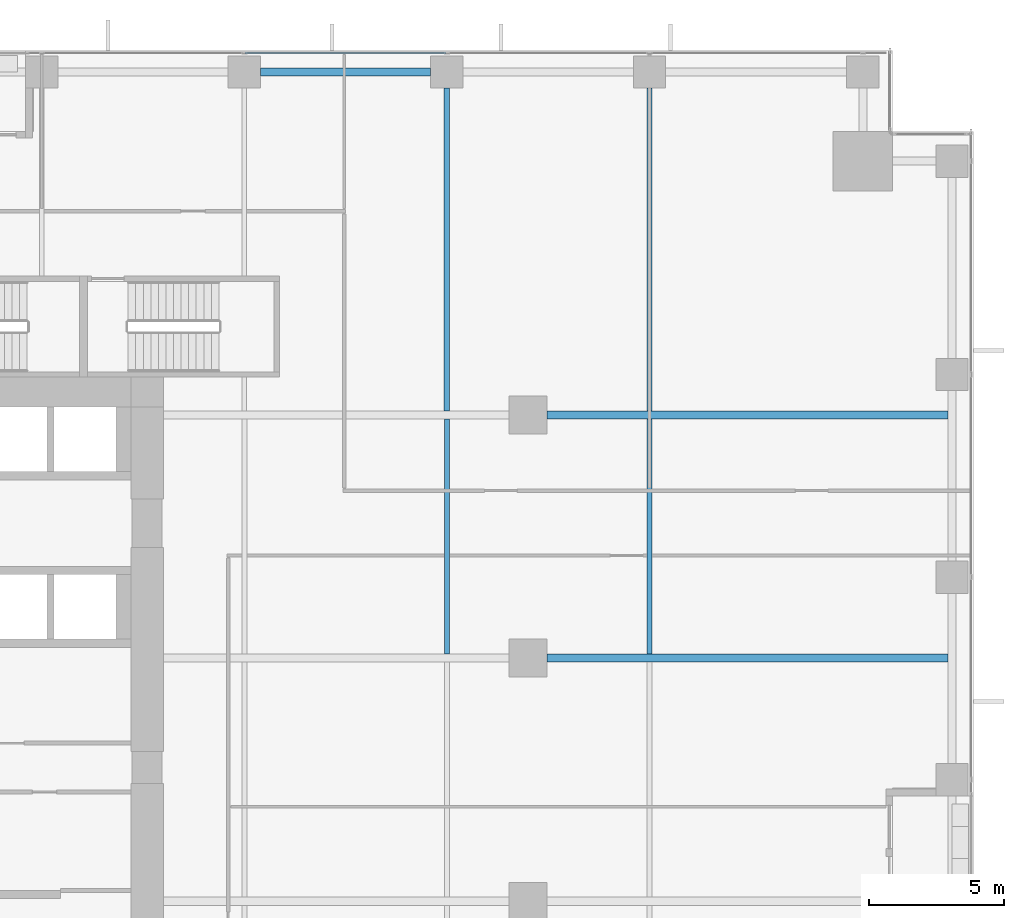
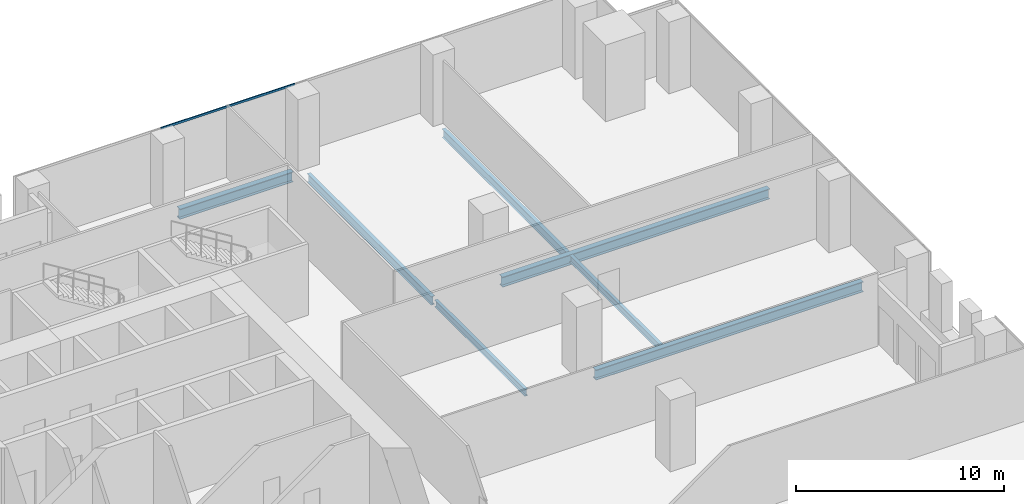
# One storey, part 16 of 32: 7 beams, 1 member, 1 element without a shape of its own.
"""IFC4 building model written with IfcOpenShell, lengths in metres."""

from ifc_helpers import new_model, si_unit, direction, frame, origin, origin_2d, place, context, subcontext, project, spatial, hollow_rectangle, i_section, extrude, source, transform, mapped, material, material_profile, profile_set, type_object, element, aggregate, save


model = new_model("IFC4")

# Units and contexts
model_context = context("Model", 3, precision=1e-05, world=origin(), true_north=direction((0.0, 1.0)))
body_context = subcontext(model_context, "Body", "Model", "MODEL_VIEW")
ifc_project = project(units=[si_unit("LENGTHUNIT", "METRE"), si_unit("AREAUNIT", "SQUARE_METRE"), si_unit("VOLUMEUNIT", "CUBIC_METRE"), si_unit("PLANEANGLEUNIT", "RADIAN"), si_unit("MASSUNIT", "GRAM", prefix="KILO")], contexts=[model_context])

# Site, building, storey
site_placement = place(None, origin())
site = spatial("IfcSite", under=ifc_project, at=site_placement, CompositionType="ELEMENT")
building_placement = place(site_placement, origin())
building = spatial("IfcBuilding", under=site, at=building_placement, Name="Khomas Fold Tower", CompositionType="ELEMENT")
storey_placement = place(building_placement, frame((0.0, 0.0, 37.5)))
storey = spatial("IfcBuildingStorey", under=building, at=storey_placement, Name="L07", CompositionType="ELEMENT", Elevation=37.5)

# Beams
ifc_material_1 = material(Name="Steel S355", Category="steel")
ifc_material_profile_1 = material_profile(ifc_material_1, i_section(OverallWidth=0.179931640625, OverallDepth=0.39990234375, WebThickness=0.008544921875, FlangeThickness=0.013427734375, at=origin_2d()), Name="IPE 400")
ifc_profile_set_1 = profile_set([ifc_material_profile_1], Name="Steel S355")
beam_type_1 = type_object("IfcBeamType", Name="IPE 400 beam JB3", PredefinedType="BEAM", material=ifc_profile_set_1)
shared_shape_1 = source(origin(), body_context, "Body", "SweptSolid", [
    extrude(i_section(OverallWidth=0.179931640625, OverallDepth=0.39990234375, WebThickness=0.008544921875, FlangeThickness=0.013427734375, at=origin_2d()), origin(), (0.0, 0.0, 1.0), 8.7001953125),
])
for number, where, z_axis, x_axis, name in (
    (1, (34.5, 31.64990234375, -0.5), (0.0, 1.0, 0.0), (-1.0, 0.0, 0.0), "JB3"),
    (2, (42.0, 31.64990234375, -0.5), (0.0, 1.0, 0.0), (-1.0, 0.0, 0.0), "JB3"),
):
    element("IfcBeam", number, at=place(storey_placement, frame(where, z_axis=z_axis, x_axis=x_axis)), inside=storey, type_object=beam_type_1, Name=name, PredefinedType="BEAM", context=body_context, shape_type="MappedRepresentation", body=[
        mapped(shared_shape_1, transform((0.0, 0.0, 0.0))),
    ])
ifc_material_2 = material(Name="Steel S355", Category="steel")
ifc_material_profile_2 = material_profile(ifc_material_2, i_section(OverallWidth=0.300048828125, OverallDepth=0.60009765625, WebThickness=0.015380859375, FlangeThickness=0.030029296875, at=origin_2d()), Name="HE 600 B")
ifc_profile_set_2 = profile_set([ifc_material_profile_2], Name="Steel S355")
beam_type_2 = type_object("IfcBeamType", Name="HE 600 B spandrel SB1", PredefinedType="SPANDREL", material=ifc_profile_set_2)
shared_shape_2 = source(origin(), body_context, "Body", "SweptSolid", [
    extrude(i_section(OverallWidth=0.300048828125, OverallDepth=0.60009765625, WebThickness=0.015380859375, FlangeThickness=0.030029296875, at=origin_2d()), origin(), (0.0, 0.0, 1.0), 6.2998046875),
])
beam_placement = place(storey_placement, frame((27.60009765625, 53.199951171875, -0.60009765625), z_axis=(1.0, 0.0, 0.0), x_axis=(0.0, 1.0, 0.0)))
element("IfcBeam", 3, at=beam_placement, inside=storey, type_object=beam_type_2, Name="SB1", PredefinedType="SPANDREL", context=body_context, shape_type="MappedRepresentation", body=[
    mapped(shared_shape_2, transform((0.0, 0.0, 0.0))),
])
ifc_material_3 = material(Name="Steel S355", Category="steel")
ifc_material_profile_3 = material_profile(ifc_material_3, i_section(OverallWidth=0.300048828125, OverallDepth=0.60009765625, WebThickness=0.015380859375, FlangeThickness=0.030029296875, at=origin_2d()), Name="HE 600 B")
ifc_profile_set_3 = profile_set([ifc_material_profile_3], Name="Steel S355")
beam_type_3 = type_object("IfcBeamType", Name="HE 600 B beam GB5", PredefinedType="BEAM", material=ifc_profile_set_3)
shared_shape_3 = source(origin(), body_context, "Body", "SweptSolid", [
    extrude(i_section(OverallWidth=0.300048828125, OverallDepth=0.60009765625, WebThickness=0.015380859375, FlangeThickness=0.030029296875, at=origin_2d()), origin(), (0.0, 0.0, 1.0), 14.85009765625),
])
for number, where, z_axis, x_axis, name in (
    (4, (38.199951171875, 31.5, -0.60009765625), (1.0, 0.0, 0.0), (0.0, 1.0, 0.0), "GB5"),
    (5, (38.199951171875, 40.5, -0.60009765625), (1.0, 0.0, 0.0), (0.0, 1.0, 0.0), "GB5"),
):
    element("IfcBeam", number, at=place(storey_placement, frame(where, z_axis=z_axis, x_axis=x_axis)), inside=storey, type_object=beam_type_3, Name=name, PredefinedType="BEAM", context=body_context, shape_type="MappedRepresentation", body=[
        mapped(shared_shape_3, transform((0.0, 0.0, 0.0))),
    ])
ifc_material_4 = material(Name="Steel S355", Category="steel")
ifc_material_profile_4 = material_profile(ifc_material_4, i_section(OverallWidth=0.199951171875, OverallDepth=0.5, WebThickness=0.01025390625, FlangeThickness=0.01611328125, at=origin_2d()), Name="IPE 500")
ifc_profile_set_4 = profile_set([ifc_material_profile_4], Name="Steel S355")
beam_type_4 = type_object("IfcBeamType", Name="IPE 500 beam JB5", PredefinedType="BEAM", material=ifc_profile_set_4)
shared_shape_4 = source(origin(), body_context, "Body", "SweptSolid", [
    extrude(i_section(OverallWidth=0.199951171875, OverallDepth=0.5, WebThickness=0.01025390625, FlangeThickness=0.01611328125, at=origin_2d()), origin(), (0.0, 0.0, 1.0), 11.9501953125),
])
for number, where, z_axis, x_axis, name in (
    (6, (34.5, 40.64990234375, -0.550048828125), (0.0, 1.0, 0.0), (-1.0, 0.0, 0.0), "JB5"),
    (7, (42.0, 40.64990234375, -0.550048828125), (0.0, 1.0, 0.0), (-1.0, 0.0, 0.0), "JB5"),
):
    element("IfcBeam", number, at=place(storey_placement, frame(where, z_axis=z_axis, x_axis=x_axis)), inside=storey, type_object=beam_type_4, Name=name, PredefinedType="BEAM", context=body_context, shape_type="MappedRepresentation", body=[
        mapped(shared_shape_4, transform((0.0, 0.0, 0.0))),
    ])

# Curtain wall, member
ifc_material_5 = material(Name="Aluminium framed double glazing", Category="aluminium")
curtain_wall_type = type_object("IfcCurtainWallType", Name="SK-Unitised clear-glass wall, growing floors CW1", PredefinedType="NOTDEFINED", material=ifc_material_5)
curtain_wall_placement = place(storey_placement, origin())
curtain_wall = element("IfcCurtainWall", 8, at=curtain_wall_placement, inside=storey, type_object=curtain_wall_type, Name="CW1 run L07 06-0", PredefinedType="NOTDEFINED")
ifc_material_6 = material(Name="Aluminium", Category="aluminium")
ifc_material_profile_5 = material_profile(ifc_material_6, hollow_rectangle(XDim=0.06005859375, YDim=0.1201171875, WallThickness=0.00390625, at=origin_2d()), Name="SK-Unitised clear-glass wall, growing floors transom CW1-T")
ifc_profile_set_5 = profile_set([ifc_material_profile_5], Name="Aluminium")
member_type = type_object("IfcMemberType", Name="SK-Unitised clear-glass wall, growing floors transom CW1-T", PredefinedType="USERDEFINED", material=ifc_profile_set_5)
shared_shape_5 = source(origin(), body_context, "Body", "SweptSolid", [
    extrude(hollow_rectangle(XDim=0.06005859375, YDim=0.1201171875, WallThickness=0.00390625, at=origin_2d()), origin(), (0.0, 0.0, 1.0), 7.43994140625),
])
member_placement = place(storey_placement, frame((34.469970703125, 53.89990234375, 4.139892578125), z_axis=(-1.0, 0.0, 0.0), x_axis=(0.0, -1.0, 0.0)))
member = element("IfcMember", 9, at=member_placement, type_object=member_type, Name="CW1 transom 4", ObjectType="TRANSOM", PredefinedType="USERDEFINED", context=body_context, shape_type="MappedRepresentation", body=[
    mapped(shared_shape_5, transform((0.0, 0.0, 0.0))),
])
aggregate(curtain_wall, [member])

save(model, "model.ifc")
